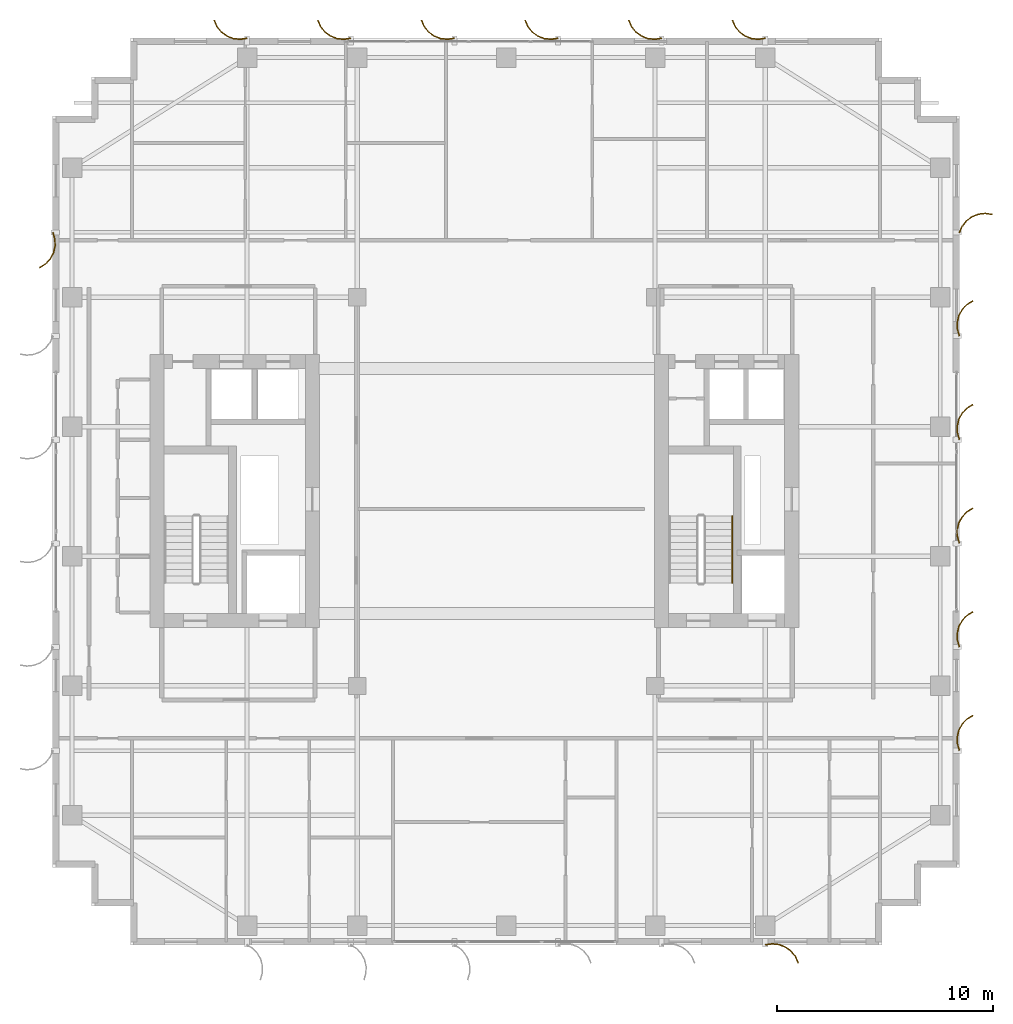
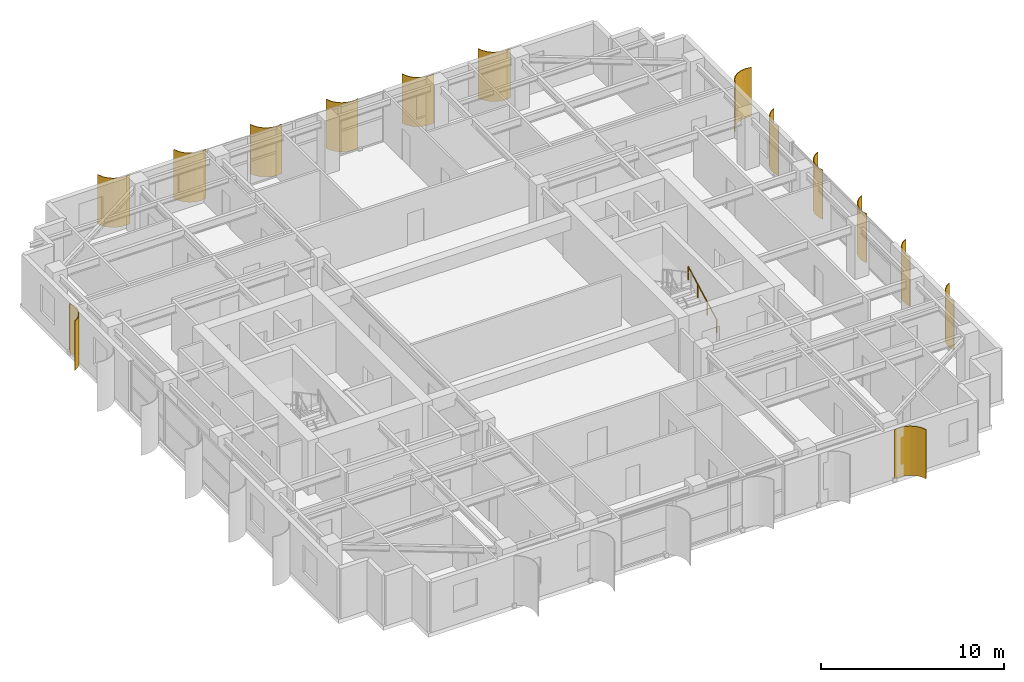
# One storey, part 22 of 22: 14 shading devices, 1 railing.
"""IFC4 building model written with IfcOpenShell, lengths in metres."""

from ifc_helpers import new_model, si_unit, direction, frame, origin, origin_2d, place, context, subcontext, project, spatial, polyline, circle, outline, extrude, source, transform, mapped, material, layer, layer_set, type_object, element, save


model = new_model("IFC4")

# Units and contexts
model_context = context("Model", 3, precision=1e-05, world=origin(), true_north=direction((0.0, 1.0)))
body_context = subcontext(model_context, "Body", "Model", "MODEL_VIEW")
ifc_project = project(units=[si_unit("LENGTHUNIT", "METRE"), si_unit("AREAUNIT", "SQUARE_METRE"), si_unit("VOLUMEUNIT", "CUBIC_METRE"), si_unit("PLANEANGLEUNIT", "RADIAN"), si_unit("MASSUNIT", "GRAM", prefix="KILO")], contexts=[model_context])

# Site, building, storey
site_placement = place(None, origin())
site = spatial("IfcSite", under=ifc_project, at=site_placement, CompositionType="ELEMENT")
building_placement = place(site_placement, origin())
building = spatial("IfcBuilding", under=site, at=building_placement, Name="Khoralis Quay Care Tower", CompositionType="ELEMENT")
storey_placement = place(building_placement, frame((0.0, 0.0, 180.89990234375)))
storey = spatial("IfcBuildingStorey", under=building, at=storey_placement, Name="L47", CompositionType="ELEMENT", Elevation=180.89990234375)

# Railing
ifc_material_1 = material(Name="Brushed stainless steel", Category="steel")
railing_type = type_object("IfcRailingType", Name="RL-HAND-900", PredefinedType="HANDRAIL", material=ifc_material_1)
railing_placement = place(storey_placement, frame((34.469970703125, 16.77001953125, 0.163818359375)))
element("IfcRailing", 1, at=railing_placement, inside=storey, type_object=railing_type, Name="L47 ST-T2 stair handrail 1", PredefinedType="HANDRAIL", context=body_context, shape_type="SweptSolid", body=[
    extrude(circle(Radius=0.02392578125, at=origin_2d()), frame((0.0, 0.0, 0.8759765625), z_axis=(0.0, 0.884376766648, 0.46677375099), x_axis=(-1.0, 0.0, 0.0)), (0.0, 0.0, 1.0), 3.50537109375),
    extrude(circle(Radius=0.02099609375, at=origin_2d()), origin(), (0.0, 0.0, 1.0), 0.851806640625),
    extrude(circle(Radius=0.02099609375, at=origin_2d()), frame((0.0, 1.033447265625, 0.54541015625)), (0.0, 0.0, 1.0), 0.851806640625),
    extrude(circle(Radius=0.02099609375, at=origin_2d()), frame((0.0, 2.066650390625, 1.0908203125)), (0.0, 0.0, 1.0), 0.851806640625),
    extrude(circle(Radius=0.02099609375, at=origin_2d()), frame((0.0, 3.10009765625, 1.63623046875)), (0.0, 0.0, 1.0), 0.851806640625),
])

# Shading devices
ifc_material_2 = material(Name="Brushed pale anodised aluminium", Category="aluminium")
ifc_layer = layer(ifc_material_2, 0.044921875)
ifc_layer_set = layer_set([ifc_layer], Name="Brushed pale anodised aluminium")
shading_device_type = type_object("IfcShadingDeviceType", Name="SHD-FIN-1250", PredefinedType="USERDEFINED", material=ifc_layer_set)
shared_shape_1 = source(origin(), body_context, "Body", "SweptSolid", [
    extrude(outline(polyline([(0.0, 0.0), (-0.04833984375, 0.32275390625), (-0.01123046875, 0.64697265625), (0.1083984375, 0.950439453125), (0.302490234375, 1.212890625), (0.557861328125, 1.416015625), (0.85693359375, 1.546142578125), (0.869384765625, 1.5029296875), (0.5810546875, 1.37744140625), (0.334716796875, 1.181640625), (0.147705078125, 0.9287109375), (0.032470703125, 0.635986328125), (-0.003173828125, 0.323486328125), (0.043212890625, 0.012451171875), (0.0, 0.0)])), origin(), (0.0, 0.0, 1.0), 3.280029296875),
])
for number, where, z_axis, x_axis, name in (
    (2, (36.0, 0.030029296875, 0.02001953125), (0.0, 0.0, 1.0), (0.0, -1.0, 0.0), "L47 Curved Solar Fin P1E0-06"),
    (3, (36.0, 41.969970703125, 0.02001953125), (0.0, 0.0, 1.0), (0.0, 1.0, 0.0), "L47 Curved Solar Fin P1E10-01"),
    (4, (31.199951171875, 41.969970703125, 0.02001953125), (0.0, 0.0, 1.0), (0.0, 1.0, 0.0), "L47 Curved Solar Fin P1E10-02"),
    (5, (26.39990234375, 41.969970703125, 0.02001953125), (0.0, 0.0, 1.0), (0.0, 1.0, 0.0), "L47 Curved Solar Fin P1E10-03"),
    (6, (21.60009765625, 41.969970703125, 0.02001953125), (0.0, 0.0, 1.0), (0.0, 1.0, 0.0), "L47 Curved Solar Fin P1E10-04"),
    (7, (16.800048828125, 41.969970703125, 0.02001953125), (0.0, 0.0, 1.0), (0.0, 1.0, 0.0), "L47 Curved Solar Fin P1E10-05"),
    (8, (12.0, 41.969970703125, 0.02001953125), (0.0, 0.0, 1.0), (0.0, 1.0, 0.0), "L47 Curved Solar Fin P1E10-06"),
):
    element("IfcShadingDevice", number, at=place(storey_placement, frame(where, z_axis=z_axis, x_axis=x_axis)), inside=storey, type_object=shading_device_type, Name=name, ObjectType="FIN", PredefinedType="USERDEFINED", context=body_context, shape_type="MappedRepresentation", body=[
        mapped(shared_shape_1, transform((0.0, 0.0, 0.0), scale=1.0)),
    ])
shared_shape_2 = source(origin(), body_context, "Body", "SweptSolid", [
    extrude(outline(polyline([(0.0, 0.0), (-0.0927734375, 0.31298828125), (-0.101318359375, 0.63916015625), (-0.025146484375, 0.956298828125), (0.130615234375, 1.2431640625), (0.355224609375, 1.479736328125), (0.633544921875, 1.650390625), (0.65185546875, 1.609130859375), (0.383544921875, 1.44482421875), (0.1669921875, 1.216796875), (0.01708984375, 0.940185546875), (-0.056396484375, 0.63427734375), (-0.04833984375, 0.31982421875), (0.041015625, 0.018310546875), (0.0, 0.0)])), origin(), (0.0, 0.0, 1.0), 3.280029296875),
])
for number, where, z_axis, x_axis, name in (
    (9, (44.969970703125, 9.0, 0.02001953125), (0.0, 0.0, 1.0), (1.0, 0.0, 0.0), "L47 Curved Solar Fin P1E5-01"),
    (10, (44.969970703125, 13.800048828125, 0.02001953125), (0.0, 0.0, 1.0), (1.0, 0.0, 0.0), "L47 Curved Solar Fin P1E5-02"),
    (11, (44.969970703125, 18.60009765625, 0.02001953125), (0.0, 0.0, 1.0), (1.0, 0.0, 0.0), "L47 Curved Solar Fin P1E5-03"),
    (12, (44.969970703125, 23.39990234375, 0.02001953125), (0.0, 0.0, 1.0), (1.0, 0.0, 0.0), "L47 Curved Solar Fin P1E5-04"),
    (13, (44.969970703125, 28.199951171875, 0.02001953125), (0.0, 0.0, 1.0), (1.0, 0.0, 0.0), "L47 Curved Solar Fin P1E5-05"),
    (14, (3.030029296875, 33.0, 0.02001953125), (0.0, 0.0, 1.0), (-1.0, 0.0, 0.0), "L47 Curved Solar Fin P1E15-01"),
):
    element("IfcShadingDevice", number, at=place(storey_placement, frame(where, z_axis=z_axis, x_axis=x_axis)), inside=storey, type_object=shading_device_type, Name=name, ObjectType="FIN", PredefinedType="USERDEFINED", context=body_context, shape_type="MappedRepresentation", body=[
        mapped(shared_shape_2, transform((0.0, 0.0, 0.0), scale=1.0)),
    ])
shared_shape_3 = source(origin(), body_context, "Body", "SweptSolid", [
    extrude(outline(polyline([(0.0, 0.0), (0.130126953125, 0.29931640625), (0.333251953125, 0.5546875), (0.595458984375, 0.748779296875), (0.899169921875, 0.868408203125), (1.223388671875, 0.9052734375), (1.546142578125, 0.85693359375), (1.53369140625, 0.813720703125), (1.22265625, 0.8603515625), (0.91015625, 0.82470703125), (0.617431640625, 0.70947265625), (0.364501953125, 0.522216796875), (0.168701171875, 0.276123046875), (0.043212890625, -0.012451171875), (0.0, 0.0)])), origin(), (0.0, 0.0, 1.0), 3.280029296875),
])
shading_device_placement = place(storey_placement, frame((44.969970703125, 33.0, 0.02001953125), z_axis=(0.0, 0.0, 1.0), x_axis=(1.0, 0.0, 0.0)))
element("IfcShadingDevice", 15, at=shading_device_placement, inside=storey, type_object=shading_device_type, Name="L47 Curved Solar Fin P1E5-06", ObjectType="FIN", PredefinedType="USERDEFINED", context=body_context, shape_type="MappedRepresentation", body=[
    mapped(shared_shape_3, transform((0.0, 0.0, 0.0), scale=1.0)),
])

save(model, "model.ifc")
